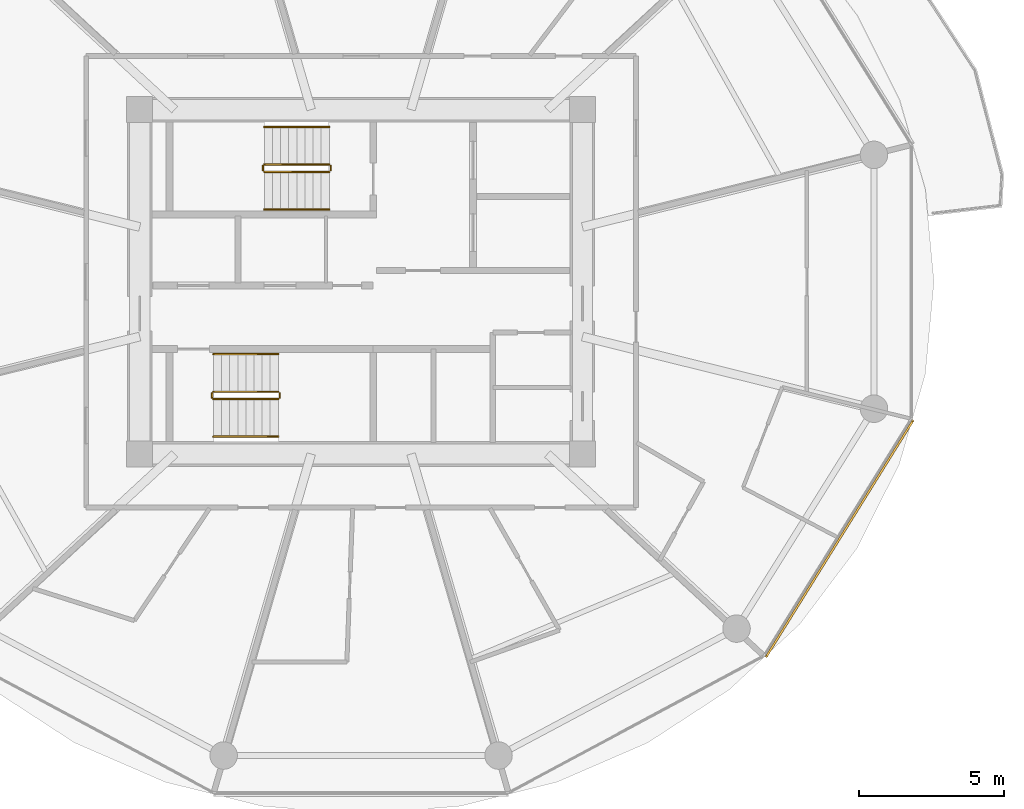
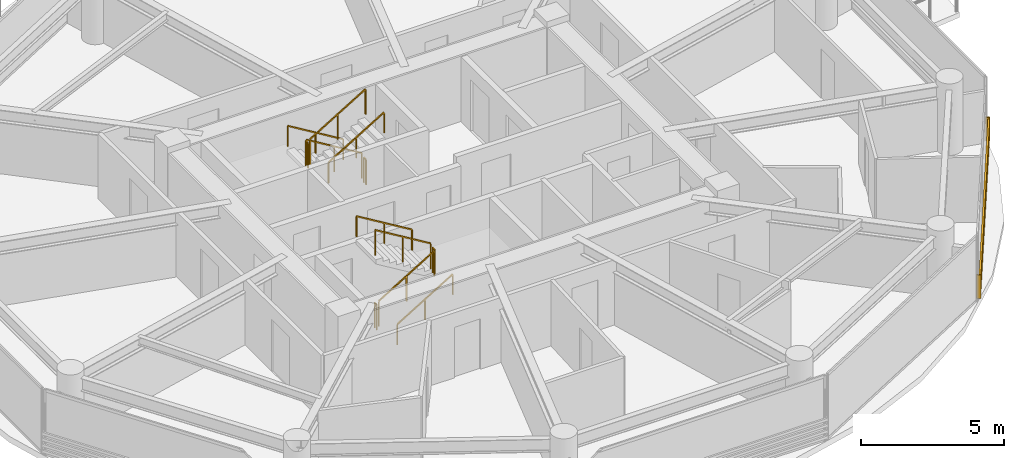
# One storey, part 25 of 26: 12 railings, 1 shading device.
"""IFC4 building model written with IfcOpenShell, lengths in metres."""

from ifc_helpers import new_model, si_unit, direction, frame, origin, origin_2d, place, context, subcontext, project, spatial, rectangle, extrude, source, transform, mapped, material, type_object, type_shapes, element, save


model = new_model("IFC4")

# Units and contexts
model_context = context("Model", 3, precision=1e-05, world=origin(), true_north=direction((0.0, 1.0)))
body_context = subcontext(model_context, "Body", "Model", "MODEL_VIEW")
ifc_project = project(units=[si_unit("LENGTHUNIT", "METRE"), si_unit("AREAUNIT", "SQUARE_METRE"), si_unit("VOLUMEUNIT", "CUBIC_METRE"), si_unit("PLANEANGLEUNIT", "RADIAN"), si_unit("MASSUNIT", "GRAM", prefix="KILO")], contexts=[model_context])

# Site, building, storey
site_placement = place(None, origin())
site = spatial("IfcSite", under=ifc_project, at=site_placement, CompositionType="ELEMENT")
building_placement = place(site_placement, origin())
building = spatial("IfcBuilding", under=site, at=building_placement, Name="Norrkilde Senior Care Towers", CompositionType="ELEMENT")
storey_placement = place(building_placement, frame((0.0, 0.0, 55.14990234375)))
storey = spatial("IfcBuildingStorey", under=building, at=storey_placement, Name="L16", CompositionType="ELEMENT", Elevation=55.14990234375)

# Railings
ifc_material_1 = material(Name="Stainless Steel", Category="steel")
railing_type_1 = type_object("IfcRailingType", Name="Stair and Terrace Guardrail 1100", PredefinedType="GUARDRAIL", material=ifc_material_1)
railing_1_placement = place(storey_placement, frame((26.89990234375, 4.050048828125, 0.16943359375)))
element("IfcRailing", 1, at=railing_1_placement, inside=storey, type_object=railing_type_1, Name="L16 ST-E1 stair guard 1", PredefinedType="GUARDRAIL", context=body_context, shape_type="SweptSolid", body=[
    extrude(rectangle(XDim=0.048095703125, YDim=0.048095703125, at=origin_2d()), frame((0.0, 0.0, 1.076171875), z_axis=(-0.855512035549, 0.0, 0.517782924622), x_axis=(0.0, -1.0, 0.0)), (0.0, 0.0, 1.0), 2.618408203125),
    extrude(rectangle(XDim=0.0419921875, YDim=0.0419921875, at=origin_2d()), origin(), (0.0, 0.0, 1.0), 1.050048828125),
    extrude(rectangle(XDim=0.0419921875, YDim=0.0419921875, at=origin_2d()), frame((-1.1201171875, 0.0, 0.677734375)), (0.0, 0.0, 1.0), 1.050048828125),
    extrude(rectangle(XDim=0.0419921875, YDim=0.0419921875, at=origin_2d()), frame((-2.239990234375, 0.0, 1.355712890625)), (0.0, 0.0, 1.0), 1.050048828125),
])
railing_2_placement = place(storey_placement, frame((24.610107421875, 4.0, 1.525146484375)))
element("IfcRailing", 2, at=railing_2_placement, inside=storey, type_object=railing_type_1, Name="L16 ST-E1 stair guard 2", PredefinedType="GUARDRAIL", context=body_context, shape_type="SweptSolid", body=[
    extrude(rectangle(XDim=0.048095703125, YDim=0.048095703125, at=origin_2d()), frame((0.0, 0.0, 1.076171875), z_axis=(0.0, -1.0, 0.0), x_axis=(1.0, 0.0, 0.0)), (0.0, 0.0, 1.0), 0.14990234375),
    extrude(rectangle(XDim=0.0419921875, YDim=0.0419921875, at=origin_2d()), origin(), (0.0, 0.0, 1.0), 1.050048828125),
    extrude(rectangle(XDim=0.0419921875, YDim=0.0419921875, at=origin_2d()), frame((0.0, -0.14990234375, 0.0)), (0.0, 0.0, 1.0), 1.050048828125),
])
railing_3_placement = place(storey_placement, frame((24.659912109375, 3.800048828125, 1.694580078125)))
element("IfcRailing", 3, at=railing_3_placement, inside=storey, type_object=railing_type_1, Name="L16 ST-E1 stair guard 3", PredefinedType="GUARDRAIL", context=body_context, shape_type="SweptSolid", body=[
    extrude(rectangle(XDim=0.048095703125, YDim=0.048095703125, at=origin_2d()), frame((0.0, 0.0, 1.076171875), z_axis=(0.855553338991, 0.0, 0.51771467445), x_axis=(0.0, 1.0, 0.0)), (0.0, 0.0, 1.0), 2.6181640625),
    extrude(rectangle(XDim=0.0419921875, YDim=0.0419921875, at=origin_2d()), origin(), (0.0, 0.0, 1.0), 1.050048828125),
    extrude(rectangle(XDim=0.0419921875, YDim=0.0419921875, at=origin_2d()), frame((1.1201171875, 0.0, 0.677734375)), (0.0, 0.0, 1.0), 1.050048828125),
    extrude(rectangle(XDim=0.0419921875, YDim=0.0419921875, at=origin_2d()), frame((2.239990234375, 0.0, 1.35546875)), (0.0, 0.0, 1.0), 1.050048828125),
])
railing_4_placement = place(storey_placement, frame((26.949951171875, 4.0, 0.0)))
element("IfcRailing", 4, at=railing_4_placement, inside=storey, type_object=railing_type_1, Name="L16 ST-E1 stair guard 4", PredefinedType="GUARDRAIL", context=body_context, shape_type="SweptSolid", body=[
    extrude(rectangle(XDim=0.048095703125, YDim=0.048095703125, at=origin_2d()), frame((0.0, 0.0, 1.076171875), z_axis=(0.0, -1.0, 0.0), x_axis=(1.0, 0.0, 0.0)), (0.0, 0.0, 1.0), 0.14990234375),
    extrude(rectangle(XDim=0.0419921875, YDim=0.0419921875, at=origin_2d()), origin(), (0.0, 0.0, 1.0), 1.050048828125),
    extrude(rectangle(XDim=0.0419921875, YDim=0.0419921875, at=origin_2d()), frame((0.0, -0.14990234375, 0.0)), (0.0, 0.0, 1.0), 1.050048828125),
])
railing_5_placement = place(storey_placement, frame((22.89990234375, -4.050048828125, 0.16943359375)))
element("IfcRailing", 5, at=railing_5_placement, inside=storey, type_object=railing_type_1, Name="L16 ST-E2 stair guard 1", PredefinedType="GUARDRAIL", context=body_context, shape_type="SweptSolid", body=[
    extrude(rectangle(XDim=0.048095703125, YDim=0.048095703125, at=origin_2d()), frame((0.0, 0.0, 1.076171875), z_axis=(0.855512035549, 0.0, 0.517782924622), x_axis=(0.0, 1.0, 0.0)), (0.0, 0.0, 1.0), 2.618408203125),
    extrude(rectangle(XDim=0.0419921875, YDim=0.0419921875, at=origin_2d()), origin(), (0.0, 0.0, 1.0), 1.050048828125),
    extrude(rectangle(XDim=0.0419921875, YDim=0.0419921875, at=origin_2d()), frame((1.1201171875, 0.0, 0.677734375)), (0.0, 0.0, 1.0), 1.050048828125),
    extrude(rectangle(XDim=0.0419921875, YDim=0.0419921875, at=origin_2d()), frame((2.239990234375, 0.0, 1.355712890625)), (0.0, 0.0, 1.0), 1.050048828125),
])
railing_6_placement = place(storey_placement, frame((25.18994140625, -4.0, 1.525146484375)))
element("IfcRailing", 6, at=railing_6_placement, inside=storey, type_object=railing_type_1, Name="L16 ST-E2 stair guard 2", PredefinedType="GUARDRAIL", context=body_context, shape_type="SweptSolid", body=[
    extrude(rectangle(XDim=0.048095703125, YDim=0.048095703125, at=origin_2d()), frame((0.0, 0.0, 1.076171875), z_axis=(0.0, 1.0, 0.0), x_axis=(-1.0, 0.0, 0.0)), (0.0, 0.0, 1.0), 0.14990234375),
    extrude(rectangle(XDim=0.0419921875, YDim=0.0419921875, at=origin_2d()), origin(), (0.0, 0.0, 1.0), 1.050048828125),
    extrude(rectangle(XDim=0.0419921875, YDim=0.0419921875, at=origin_2d()), frame((0.0, 0.14990234375, 0.0)), (0.0, 0.0, 1.0), 1.050048828125),
])
railing_7_placement = place(storey_placement, frame((25.139892578125, -3.800048828125, 1.694580078125)))
element("IfcRailing", 7, at=railing_7_placement, inside=storey, type_object=railing_type_1, Name="L16 ST-E2 stair guard 3", PredefinedType="GUARDRAIL", context=body_context, shape_type="SweptSolid", body=[
    extrude(rectangle(XDim=0.048095703125, YDim=0.048095703125, at=origin_2d()), frame((0.0, 0.0, 1.076171875), z_axis=(-0.855553338991, 0.0, 0.51771467445), x_axis=(0.0, -1.0, 0.0)), (0.0, 0.0, 1.0), 2.6181640625),
    extrude(rectangle(XDim=0.0419921875, YDim=0.0419921875, at=origin_2d()), origin(), (0.0, 0.0, 1.0), 1.050048828125),
    extrude(rectangle(XDim=0.0419921875, YDim=0.0419921875, at=origin_2d()), frame((-1.1201171875, 0.0, 0.677734375)), (0.0, 0.0, 1.0), 1.050048828125),
    extrude(rectangle(XDim=0.0419921875, YDim=0.0419921875, at=origin_2d()), frame((-2.239990234375, 0.0, 1.35546875)), (0.0, 0.0, 1.0), 1.050048828125),
])
railing_8_placement = place(storey_placement, frame((22.85009765625, -4.0, 0.0)))
element("IfcRailing", 8, at=railing_8_placement, inside=storey, type_object=railing_type_1, Name="L16 ST-E2 stair guard 4", PredefinedType="GUARDRAIL", context=body_context, shape_type="SweptSolid", body=[
    extrude(rectangle(XDim=0.048095703125, YDim=0.048095703125, at=origin_2d()), frame((0.0, 0.0, 1.076171875), z_axis=(0.0, 1.0, 0.0), x_axis=(-1.0, 0.0, 0.0)), (0.0, 0.0, 1.0), 0.14990234375),
    extrude(rectangle(XDim=0.0419921875, YDim=0.0419921875, at=origin_2d()), origin(), (0.0, 0.0, 1.0), 1.050048828125),
    extrude(rectangle(XDim=0.0419921875, YDim=0.0419921875, at=origin_2d()), frame((0.0, 0.14990234375, 0.0)), (0.0, 0.0, 1.0), 1.050048828125),
])
ifc_material_2 = material(Name="Nordic Ash Timber", Category="wood")
railing_type_2 = type_object("IfcRailingType", Name="Wall and Stair Handrail 900", PredefinedType="HANDRAIL", material=ifc_material_2)
railing_9_placement = place(storey_placement, frame((26.89990234375, 5.35009765625, 0.16943359375)))
element("IfcRailing", 9, at=railing_9_placement, inside=storey, type_object=railing_type_2, Name="L16 ST-E1 stair handrail 1", PredefinedType="HANDRAIL", context=body_context, shape_type="SweptSolid", body=[
    extrude(rectangle(XDim=0.048095703125, YDim=0.048095703125, at=origin_2d()), frame((0.0, 0.0, 0.8759765625), z_axis=(-0.855512035549, 0.0, 0.517782924622), x_axis=(0.0, -1.0, 0.0)), (0.0, 0.0, 1.0), 2.618408203125),
    extrude(rectangle(XDim=0.0419921875, YDim=0.0419921875, at=origin_2d()), origin(), (0.0, 0.0, 1.0), 0.849853515625),
    extrude(rectangle(XDim=0.0419921875, YDim=0.0419921875, at=origin_2d()), frame((-1.1201171875, 0.0, 0.677734375)), (0.0, 0.0, 1.0), 0.849853515625),
    extrude(rectangle(XDim=0.0419921875, YDim=0.0419921875, at=origin_2d()), frame((-2.239990234375, 0.0, 1.355712890625)), (0.0, 0.0, 1.0), 0.849853515625),
])
railing_10_placement = place(storey_placement, frame((24.659912109375, 2.5, 1.694580078125)))
element("IfcRailing", 10, at=railing_10_placement, inside=storey, type_object=railing_type_2, Name="L16 ST-E1 stair handrail 2", PredefinedType="HANDRAIL", context=body_context, shape_type="SweptSolid", body=[
    extrude(rectangle(XDim=0.048095703125, YDim=0.048095703125, at=origin_2d()), frame((0.0, 0.0, 0.8759765625), z_axis=(0.855553338991, 0.0, 0.51771467445), x_axis=(0.0, 1.0, 0.0)), (0.0, 0.0, 1.0), 2.6181640625),
    extrude(rectangle(XDim=0.0419921875, YDim=0.0419921875, at=origin_2d()), origin(), (0.0, 0.0, 1.0), 0.849853515625),
    extrude(rectangle(XDim=0.0419921875, YDim=0.0419921875, at=origin_2d()), frame((1.1201171875, 0.0, 0.677734375)), (0.0, 0.0, 1.0), 0.849853515625),
    extrude(rectangle(XDim=0.0419921875, YDim=0.0419921875, at=origin_2d()), frame((2.239990234375, 0.0, 1.35546875)), (0.0, 0.0, 1.0), 0.849853515625),
])
railing_11_placement = place(storey_placement, frame((22.89990234375, -5.35009765625, 0.16943359375)))
element("IfcRailing", 11, at=railing_11_placement, inside=storey, type_object=railing_type_2, Name="L16 ST-E2 stair handrail 1", PredefinedType="HANDRAIL", context=body_context, shape_type="SweptSolid", body=[
    extrude(rectangle(XDim=0.048095703125, YDim=0.048095703125, at=origin_2d()), frame((0.0, 0.0, 0.8759765625), z_axis=(0.855512035549, 0.0, 0.517782924622), x_axis=(0.0, 1.0, 0.0)), (0.0, 0.0, 1.0), 2.618408203125),
    extrude(rectangle(XDim=0.0419921875, YDim=0.0419921875, at=origin_2d()), origin(), (0.0, 0.0, 1.0), 0.849853515625),
    extrude(rectangle(XDim=0.0419921875, YDim=0.0419921875, at=origin_2d()), frame((1.1201171875, 0.0, 0.677734375)), (0.0, 0.0, 1.0), 0.849853515625),
    extrude(rectangle(XDim=0.0419921875, YDim=0.0419921875, at=origin_2d()), frame((2.239990234375, 0.0, 1.355712890625)), (0.0, 0.0, 1.0), 0.849853515625),
])
railing_12_placement = place(storey_placement, frame((25.139892578125, -2.5, 1.694580078125)))
element("IfcRailing", 12, at=railing_12_placement, inside=storey, type_object=railing_type_2, Name="L16 ST-E2 stair handrail 2", PredefinedType="HANDRAIL", context=body_context, shape_type="SweptSolid", body=[
    extrude(rectangle(XDim=0.048095703125, YDim=0.048095703125, at=origin_2d()), frame((0.0, 0.0, 0.8759765625), z_axis=(-0.855553338991, 0.0, 0.51771467445), x_axis=(0.0, -1.0, 0.0)), (0.0, 0.0, 1.0), 2.6181640625),
    extrude(rectangle(XDim=0.0419921875, YDim=0.0419921875, at=origin_2d()), origin(), (0.0, 0.0, 1.0), 0.849853515625),
    extrude(rectangle(XDim=0.0419921875, YDim=0.0419921875, at=origin_2d()), frame((-1.1201171875, 0.0, 0.677734375)), (0.0, 0.0, 1.0), 0.849853515625),
    extrude(rectangle(XDim=0.0419921875, YDim=0.0419921875, at=origin_2d()), frame((-2.239990234375, 0.0, 1.35546875)), (0.0, 0.0, 1.0), 0.849853515625),
])

# Shading device
ifc_material_3 = material(Name="Architectural Terracotta", Category="masonry")
shading_device_type = type_object("IfcShadingDeviceType", Name="Horizontal Terracotta Baguette Rack", PredefinedType="USERDEFINED", material=ifc_material_3)
shared_shape = source(origin(), body_context, "Body", "SweptSolid", [
    extrude(rectangle(XDim=0.070068359375, YDim=0.110107421875, at=origin_2d()), frame((0.0, 0.090087890625, 0.125), z_axis=(1.0, 0.0, 0.0), x_axis=(0.0, 1.0, 0.0)), (0.0, 0.0, 1.0), 9.64892578125),
    extrude(rectangle(XDim=0.070068359375, YDim=0.110107421875, at=origin_2d()), frame((0.0, 0.090087890625, 0.375), z_axis=(1.0, 0.0, 0.0), x_axis=(0.0, 1.0, 0.0)), (0.0, 0.0, 1.0), 9.64892578125),
    extrude(rectangle(XDim=0.070068359375, YDim=0.110107421875, at=origin_2d()), frame((0.0, 0.090087890625, 0.625), z_axis=(1.0, 0.0, 0.0), x_axis=(0.0, 1.0, 0.0)), (0.0, 0.0, 1.0), 9.64892578125),
    extrude(rectangle(XDim=0.070068359375, YDim=0.110107421875, at=origin_2d()), frame((0.0, 0.090087890625, 0.875), z_axis=(1.0, 0.0, 0.0), x_axis=(0.0, 1.0, 0.0)), (0.0, 0.0, 1.0), 9.64892578125),
    extrude(rectangle(XDim=0.050048828125, YDim=0.1552734375, at=origin_2d()), frame((0.02490234375, 0.047607421875, 0.0)), (0.0, 0.0, 1.0), 1.0),
    extrude(rectangle(XDim=0.050048828125, YDim=0.1552734375, at=origin_2d()), frame((9.6240234375, 0.047607421875, 0.0)), (0.0, 0.0, 1.0), 1.0),
])
type_shapes(shading_device_type, [shared_shape])
shading_device_placement = place(storey_placement, frame((47.009521484375, -4.731201171875, 0.080078125), z_axis=(0.0, 0.0, 1.0), x_axis=(-0.527908506655, -0.849299124538, 0.0)))
element("IfcShadingDevice", 13, at=shading_device_placement, inside=storey, type_object=shading_device_type, Name="L16 Drum E Terracotta Baguette Screen 10", ObjectType="BAGUETTE", PredefinedType="USERDEFINED", context=body_context, shape_type="MappedRepresentation", body=[
    mapped(shared_shape, transform((0.0, 0.0, 0.0), x_axis=(1.0, 0.0, 0.0), y_axis=(0.0, 1.0, 0.0), z_axis=(0.0, 0.0, 1.0), scale=1.0)),
])

save(model, "model.ifc")
